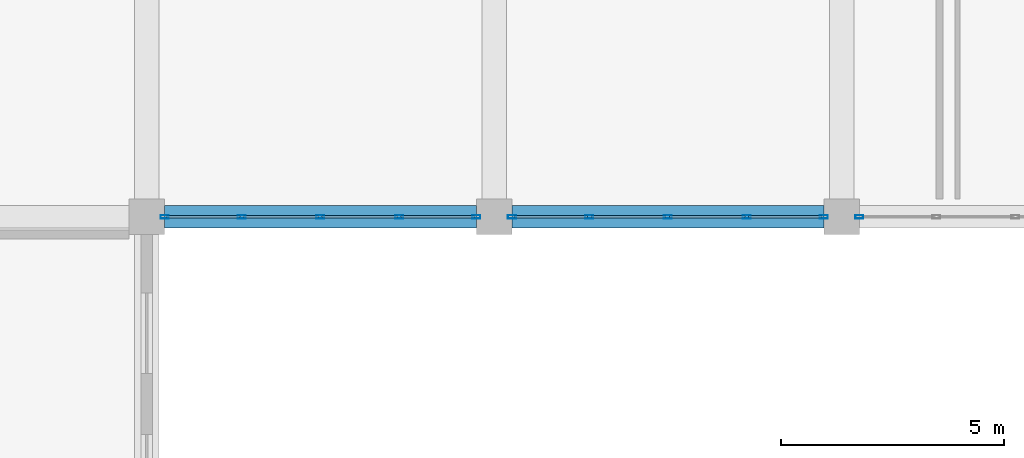
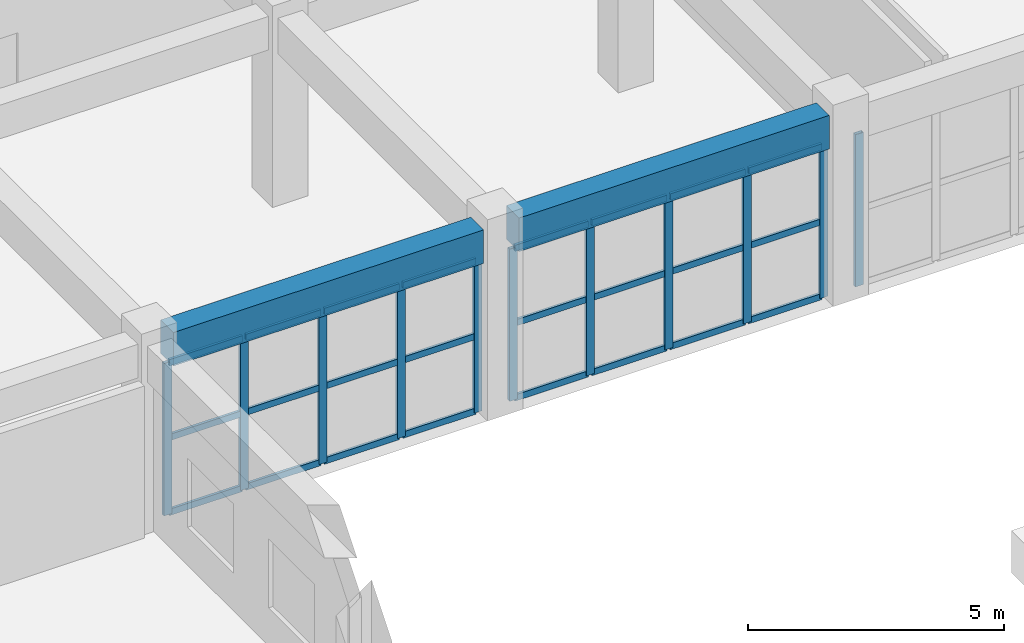
# One storey, part 41 of 139: 35 members, 2 beams, 3 elements without a shape of their own.
"""IFC4 building model written with IfcOpenShell, lengths in metres."""

from ifc_helpers import new_model, si_unit, direction, frame, origin, origin_2d, place, context, subcontext, project, spatial, rectangle, hollow_rectangle, extrude, material, layer, layer_set, material_profile, profile_set, type_object, element, aggregate, save


model = new_model("IFC4")

# Units and contexts
model_context = context("Model", 3, precision=1e-05, world=origin(), true_north=direction((0.0, 1.0)))
body_context = subcontext(model_context, "Body", "Model", "MODEL_VIEW")
ifc_project = project(units=[si_unit("LENGTHUNIT", "METRE"), si_unit("AREAUNIT", "SQUARE_METRE"), si_unit("VOLUMEUNIT", "CUBIC_METRE"), si_unit("PLANEANGLEUNIT", "RADIAN"), si_unit("MASSUNIT", "GRAM", prefix="KILO")], contexts=[model_context])

# Site, building, storey
site_placement = place(None, origin())
site = spatial("IfcSite", under=ifc_project, at=site_placement, CompositionType="ELEMENT")
building_placement = place(site_placement, origin())
building = spatial("IfcBuilding", under=site, at=building_placement, Name="Zizhar Promenade General Hospital", CompositionType="ELEMENT")
storey_placement = place(building_placement, origin())
storey = spatial("IfcBuildingStorey", under=building, at=storey_placement, Name="L00", CompositionType="ELEMENT", Elevation=0.0)

# Beams
ifc_material_1 = material(Name="Concrete C35/45", Category="concrete")
ifc_material_profile_1 = material_profile(ifc_material_1, rectangle(XDim=0.5, YDim=0.800048828125, at=origin_2d()))
ifc_profile_set_1 = profile_set([ifc_material_profile_1], Name="Concrete C35/45")
beam_type = type_object("IfcBeamType", Name="BM-RC-500x800", PredefinedType="BEAM", material=ifc_profile_set_1)
for number, where, z_axis, x_axis, name in (
    (1, (70.60009765625, 92.39990234375, 4.070068359375), (1.0, 0.0, 0.0), (0.0, 1.0, 0.0), "Grid Beam X L00 (9-11)"),
    (2, (78.39990234375, 92.39990234375, 4.070068359375), (1.0, 0.0, 0.0), (0.0, 1.0, 0.0), "Grid Beam X L00 (10-11)"),
):
    element("IfcBeam", number, at=place(storey_placement, frame(where, z_axis=z_axis, x_axis=x_axis)), inside=storey, type_object=beam_type, Name=name, PredefinedType="BEAM", context=body_context, shape_type="SweptSolid", body=[
        extrude(rectangle(XDim=0.5, YDim=0.800048828125, at=origin_2d()), origin(), (0.0, 0.0, 1.0), 7.0),
    ])

# Curtain wall, members
ifc_material_2 = material(Name="Anodised aluminium 6063-T6 and low-E glass", Category="aluminium")
ifc_layer = layer(ifc_material_2, 0.159912109375)
ifc_layer_set = layer_set([ifc_layer], Name="Anodised aluminium 6063-T6 and low-E glass")
curtain_wall_type = type_object("IfcCurtainWallType", Name="CW-DT-MOD1", PredefinedType="NOTDEFINED", material=ifc_layer_set)
curtain_wall_1_placement = place(storey_placement, origin())
curtain_wall_1 = element("IfcCurtainWall", 3, at=curtain_wall_1_placement, inside=storey, type_object=curtain_wall_type, Name="Garden Court North Surgical Glazing L00-9", PredefinedType="NOTDEFINED")
ifc_material_3 = material(Name="Anodised aluminium 6063-T6", Category="aluminium")
ifc_material_profile_2 = material_profile(ifc_material_3, hollow_rectangle(XDim=0.080078125, YDim=0.179931640625, WallThickness=0.0048828125, at=origin_2d()))
ifc_profile_set_2 = profile_set([ifc_material_profile_2], Name="Anodised aluminium 6063-T6")
member_type_1 = type_object("IfcMemberType", Name="CWM-ALU-180x80", PredefinedType="MULLION", material=ifc_profile_set_2)
member_1_placement = place(storey_placement, frame((77.60009765625, 92.39990234375, 0.0), z_axis=(0.0, 0.0, 1.0), x_axis=(0.0, -1.0, 0.0)))
member_1 = element("IfcMember", 4, at=member_1_placement, type_object=member_type_1, Name="CW-07 mullion 1", PredefinedType="MULLION", context=body_context, shape_type="SweptSolid", body=[
    extrude(hollow_rectangle(XDim=0.080078125, YDim=0.179931640625, WallThickness=0.0048828125, at=origin_2d()), origin(), (0.0, 0.0, 1.0), 3.6298828125),
])
member_2_placement = place(storey_placement, frame((75.8701171875, 92.39990234375, 0.0), z_axis=(0.0, 0.0, 1.0), x_axis=(0.0, -1.0, 0.0)))
member_2 = element("IfcMember", 5, at=member_2_placement, type_object=member_type_1, Name="CW-07 mullion 2", PredefinedType="MULLION", context=body_context, shape_type="SweptSolid", body=[
    extrude(hollow_rectangle(XDim=0.080078125, YDim=0.179931640625, WallThickness=0.0048828125, at=origin_2d()), origin(), (0.0, 0.0, 1.0), 3.6298828125),
])
member_3_placement = place(storey_placement, frame((74.10009765625, 92.39990234375, 0.0), z_axis=(0.0, 0.0, 1.0), x_axis=(0.0, -1.0, 0.0)))
member_3 = element("IfcMember", 6, at=member_3_placement, type_object=member_type_1, Name="CW-07 mullion 3", PredefinedType="MULLION", context=body_context, shape_type="SweptSolid", body=[
    extrude(hollow_rectangle(XDim=0.080078125, YDim=0.179931640625, WallThickness=0.0048828125, at=origin_2d()), origin(), (0.0, 0.0, 1.0), 3.6298828125),
])
member_4_placement = place(storey_placement, frame((72.330078125, 92.39990234375, 0.0), z_axis=(0.0, 0.0, 1.0), x_axis=(0.0, -1.0, 0.0)))
member_4 = element("IfcMember", 7, at=member_4_placement, type_object=member_type_1, Name="CW-07 mullion 4", PredefinedType="MULLION", context=body_context, shape_type="SweptSolid", body=[
    extrude(hollow_rectangle(XDim=0.080078125, YDim=0.179931640625, WallThickness=0.0048828125, at=origin_2d()), origin(), (0.0, 0.0, 1.0), 3.6298828125),
])
member_5_placement = place(storey_placement, frame((70.60009765625, 92.39990234375, 0.0), z_axis=(0.0, 0.0, 1.0), x_axis=(0.0, -1.0, 0.0)))
member_5 = element("IfcMember", 8, at=member_5_placement, type_object=member_type_1, Name="CW-07 mullion 5", PredefinedType="MULLION", context=body_context, shape_type="SweptSolid", body=[
    extrude(hollow_rectangle(XDim=0.080078125, YDim=0.179931640625, WallThickness=0.0048828125, at=origin_2d()), origin(), (0.0, 0.0, 1.0), 3.6298828125),
])

curtain_wall_2_placement = place(storey_placement, origin())
curtain_wall_2 = element("IfcCurtainWall", 9, at=curtain_wall_2_placement, inside=storey, type_object=curtain_wall_type, Name="Garden Court North Surgical Glazing L00-10", PredefinedType="NOTDEFINED")
member_6_placement = place(storey_placement, frame((85.39990234375, 92.39990234375, 0.0), z_axis=(0.0, 0.0, 1.0), x_axis=(0.0, -1.0, 0.0)))
member_6 = element("IfcMember", 10, at=member_6_placement, type_object=member_type_1, Name="CW-07 mullion 1", PredefinedType="MULLION", context=body_context, shape_type="SweptSolid", body=[
    extrude(hollow_rectangle(XDim=0.080078125, YDim=0.179931640625, WallThickness=0.0048828125, at=origin_2d()), origin(), (0.0, 0.0, 1.0), 3.6298828125),
])
member_7_placement = place(storey_placement, frame((83.669921875, 92.39990234375, 0.0), z_axis=(0.0, 0.0, 1.0), x_axis=(0.0, -1.0, 0.0)))
member_7 = element("IfcMember", 11, at=member_7_placement, type_object=member_type_1, Name="CW-07 mullion 2", PredefinedType="MULLION", context=body_context, shape_type="SweptSolid", body=[
    extrude(hollow_rectangle(XDim=0.080078125, YDim=0.179931640625, WallThickness=0.0048828125, at=origin_2d()), origin(), (0.0, 0.0, 1.0), 3.6298828125),
])
member_8_placement = place(storey_placement, frame((81.89990234375, 92.39990234375, 0.0), z_axis=(0.0, 0.0, 1.0), x_axis=(0.0, -1.0, 0.0)))
member_8 = element("IfcMember", 12, at=member_8_placement, type_object=member_type_1, Name="CW-07 mullion 3", PredefinedType="MULLION", context=body_context, shape_type="SweptSolid", body=[
    extrude(hollow_rectangle(XDim=0.080078125, YDim=0.179931640625, WallThickness=0.0048828125, at=origin_2d()), origin(), (0.0, 0.0, 1.0), 3.6298828125),
])
member_9_placement = place(storey_placement, frame((80.1298828125, 92.39990234375, 0.0), z_axis=(0.0, 0.0, 1.0), x_axis=(0.0, -1.0, 0.0)))
member_9 = element("IfcMember", 13, at=member_9_placement, type_object=member_type_1, Name="CW-07 mullion 4", PredefinedType="MULLION", context=body_context, shape_type="SweptSolid", body=[
    extrude(hollow_rectangle(XDim=0.080078125, YDim=0.179931640625, WallThickness=0.0048828125, at=origin_2d()), origin(), (0.0, 0.0, 1.0), 3.6298828125),
])
member_10_placement = place(storey_placement, frame((78.39990234375, 92.39990234375, 0.0), z_axis=(0.0, 0.0, 1.0), x_axis=(0.0, -1.0, 0.0)))
member_10 = element("IfcMember", 14, at=member_10_placement, type_object=member_type_1, Name="CW-07 mullion 5", PredefinedType="MULLION", context=body_context, shape_type="SweptSolid", body=[
    extrude(hollow_rectangle(XDim=0.080078125, YDim=0.179931640625, WallThickness=0.0048828125, at=origin_2d()), origin(), (0.0, 0.0, 1.0), 3.6298828125),
])

# Curtain wall, member
curtain_wall_3_placement = place(storey_placement, origin())
curtain_wall_3 = element("IfcCurtainWall", 15, at=curtain_wall_3_placement, inside=storey, type_object=curtain_wall_type, Name="Garden Court North Surgical Glazing L00-11", PredefinedType="NOTDEFINED")
member_11_placement = place(storey_placement, frame((86.199951171875, 92.39990234375, 0.0), z_axis=(0.0, 0.0, 1.0), x_axis=(0.0, -1.0, 0.0)))
member_11 = element("IfcMember", 16, at=member_11_placement, type_object=member_type_1, Name="CW-07 mullion 5", PredefinedType="MULLION", context=body_context, shape_type="SweptSolid", body=[
    extrude(hollow_rectangle(XDim=0.080078125, YDim=0.179931640625, WallThickness=0.0048828125, at=origin_2d()), origin(), (0.0, 0.0, 1.0), 3.6298828125),
])
aggregate(curtain_wall_3, [member_11])

# Member
ifc_material_4 = material(Name="Anodised aluminium 6063-T6", Category="aluminium")
ifc_material_profile_3 = material_profile(ifc_material_4, hollow_rectangle(XDim=0.06005859375, YDim=0.14990234375, WallThickness=0.00390625, at=origin_2d()))
ifc_profile_set_3 = profile_set([ifc_material_profile_3], Name="Anodised aluminium 6063-T6")
member_type_2 = type_object("IfcMemberType", Name="CWT-ALU-150x60", PredefinedType="USERDEFINED", material=ifc_profile_set_3)
member_12_placement = place(storey_placement, frame((77.56005859375, 92.39990234375, 0.030029296875), z_axis=(-1.0, 0.0, 0.0), x_axis=(0.0, -1.0, 0.0)))
member_12 = element("IfcMember", 17, at=member_12_placement, type_object=member_type_2, Name="CW-07 transom 1.1", ObjectType="TRANSOM", PredefinedType="USERDEFINED", context=body_context, shape_type="SweptSolid", body=[
    extrude(hollow_rectangle(XDim=0.06005859375, YDim=0.14990234375, WallThickness=0.00390625, at=origin_2d()), origin(), (0.0, 0.0, 1.0), 1.650146484375),
])

member_13_placement = place(storey_placement, frame((77.56005859375, 92.39990234375, 1.81494140625), z_axis=(-1.0, 0.0, 0.0), x_axis=(0.0, -1.0, 0.0)))
member_13 = element("IfcMember", 18, at=member_13_placement, type_object=member_type_2, Name="CW-07 transom 1.2", ObjectType="TRANSOM", PredefinedType="USERDEFINED", context=body_context, shape_type="SweptSolid", body=[
    extrude(hollow_rectangle(XDim=0.06005859375, YDim=0.14990234375, WallThickness=0.00390625, at=origin_2d()), origin(), (0.0, 0.0, 1.0), 1.650146484375),
])

member_14_placement = place(storey_placement, frame((77.56005859375, 92.39990234375, 3.60009765625), z_axis=(-1.0, 0.0, 0.0), x_axis=(0.0, -1.0, 0.0)))
member_14 = element("IfcMember", 19, at=member_14_placement, type_object=member_type_2, Name="CW-07 transom 1.3", ObjectType="TRANSOM", PredefinedType="USERDEFINED", context=body_context, shape_type="SweptSolid", body=[
    extrude(hollow_rectangle(XDim=0.06005859375, YDim=0.14990234375, WallThickness=0.00390625, at=origin_2d()), origin(), (0.0, 0.0, 1.0), 1.650146484375),
])

member_15_placement = place(storey_placement, frame((75.830078125, 92.39990234375, 0.030029296875), z_axis=(-1.0, 0.0, 0.0), x_axis=(0.0, -1.0, 0.0)))
member_15 = element("IfcMember", 20, at=member_15_placement, type_object=member_type_2, Name="CW-07 transom 2.1", ObjectType="TRANSOM", PredefinedType="USERDEFINED", context=body_context, shape_type="SweptSolid", body=[
    extrude(hollow_rectangle(XDim=0.06005859375, YDim=0.14990234375, WallThickness=0.00390625, at=origin_2d()), origin(), (0.0, 0.0, 1.0), 1.690185546875),
])

member_16_placement = place(storey_placement, frame((75.830078125, 92.39990234375, 1.81494140625), z_axis=(-1.0, 0.0, 0.0), x_axis=(0.0, -1.0, 0.0)))
member_16 = element("IfcMember", 21, at=member_16_placement, type_object=member_type_2, Name="CW-07 transom 2.2", ObjectType="TRANSOM", PredefinedType="USERDEFINED", context=body_context, shape_type="SweptSolid", body=[
    extrude(hollow_rectangle(XDim=0.06005859375, YDim=0.14990234375, WallThickness=0.00390625, at=origin_2d()), origin(), (0.0, 0.0, 1.0), 1.690185546875),
])

member_17_placement = place(storey_placement, frame((75.830078125, 92.39990234375, 3.60009765625), z_axis=(-1.0, 0.0, 0.0), x_axis=(0.0, -1.0, 0.0)))
member_17 = element("IfcMember", 22, at=member_17_placement, type_object=member_type_2, Name="CW-07 transom 2.3", ObjectType="TRANSOM", PredefinedType="USERDEFINED", context=body_context, shape_type="SweptSolid", body=[
    extrude(hollow_rectangle(XDim=0.06005859375, YDim=0.14990234375, WallThickness=0.00390625, at=origin_2d()), origin(), (0.0, 0.0, 1.0), 1.690185546875),
])

member_18_placement = place(storey_placement, frame((74.06005859375, 92.39990234375, 0.030029296875), z_axis=(-1.0, 0.0, 0.0), x_axis=(0.0, -1.0, 0.0)))
member_18 = element("IfcMember", 23, at=member_18_placement, type_object=member_type_2, Name="CW-07 transom 3.1", ObjectType="TRANSOM", PredefinedType="USERDEFINED", context=body_context, shape_type="SweptSolid", body=[
    extrude(hollow_rectangle(XDim=0.06005859375, YDim=0.14990234375, WallThickness=0.00390625, at=origin_2d()), origin(), (0.0, 0.0, 1.0), 1.68994140625),
])

member_19_placement = place(storey_placement, frame((74.06005859375, 92.39990234375, 1.81494140625), z_axis=(-1.0, 0.0, 0.0), x_axis=(0.0, -1.0, 0.0)))
member_19 = element("IfcMember", 24, at=member_19_placement, type_object=member_type_2, Name="CW-07 transom 3.2", ObjectType="TRANSOM", PredefinedType="USERDEFINED", context=body_context, shape_type="SweptSolid", body=[
    extrude(hollow_rectangle(XDim=0.06005859375, YDim=0.14990234375, WallThickness=0.00390625, at=origin_2d()), origin(), (0.0, 0.0, 1.0), 1.68994140625),
])

member_20_placement = place(storey_placement, frame((74.06005859375, 92.39990234375, 3.60009765625), z_axis=(-1.0, 0.0, 0.0), x_axis=(0.0, -1.0, 0.0)))
member_20 = element("IfcMember", 25, at=member_20_placement, type_object=member_type_2, Name="CW-07 transom 3.3", ObjectType="TRANSOM", PredefinedType="USERDEFINED", context=body_context, shape_type="SweptSolid", body=[
    extrude(hollow_rectangle(XDim=0.06005859375, YDim=0.14990234375, WallThickness=0.00390625, at=origin_2d()), origin(), (0.0, 0.0, 1.0), 1.68994140625),
])

member_21_placement = place(storey_placement, frame((72.2900390625, 92.39990234375, 0.030029296875), z_axis=(-1.0, 0.0, 0.0), x_axis=(0.0, -1.0, 0.0)))
member_21 = element("IfcMember", 26, at=member_21_placement, type_object=member_type_2, Name="CW-07 transom 4.1", ObjectType="TRANSOM", PredefinedType="USERDEFINED", context=body_context, shape_type="SweptSolid", body=[
    extrude(hollow_rectangle(XDim=0.06005859375, YDim=0.14990234375, WallThickness=0.00390625, at=origin_2d()), origin(), (0.0, 0.0, 1.0), 1.650146484375),
])

member_22_placement = place(storey_placement, frame((72.2900390625, 92.39990234375, 1.81494140625), z_axis=(-1.0, 0.0, 0.0), x_axis=(0.0, -1.0, 0.0)))
member_22 = element("IfcMember", 27, at=member_22_placement, type_object=member_type_2, Name="CW-07 transom 4.2", ObjectType="TRANSOM", PredefinedType="USERDEFINED", context=body_context, shape_type="SweptSolid", body=[
    extrude(hollow_rectangle(XDim=0.06005859375, YDim=0.14990234375, WallThickness=0.00390625, at=origin_2d()), origin(), (0.0, 0.0, 1.0), 1.650146484375),
])

member_23_placement = place(storey_placement, frame((72.2900390625, 92.39990234375, 3.60009765625), z_axis=(-1.0, 0.0, 0.0), x_axis=(0.0, -1.0, 0.0)))
member_23 = element("IfcMember", 28, at=member_23_placement, type_object=member_type_2, Name="CW-07 transom 4.3", ObjectType="TRANSOM", PredefinedType="USERDEFINED", context=body_context, shape_type="SweptSolid", body=[
    extrude(hollow_rectangle(XDim=0.06005859375, YDim=0.14990234375, WallThickness=0.00390625, at=origin_2d()), origin(), (0.0, 0.0, 1.0), 1.650146484375),
])

aggregate(curtain_wall_1, [member_1, member_2, member_3, member_4, member_5, member_12, member_13, member_14, member_15, member_16, member_17, member_18, member_19, member_20, member_21, member_22, member_23])

member_24_placement = place(storey_placement, frame((85.360107421875, 92.39990234375, 0.030029296875), z_axis=(-1.0, 0.0, 0.0), x_axis=(0.0, -1.0, 0.0)))
member_24 = element("IfcMember", 29, at=member_24_placement, type_object=member_type_2, Name="CW-07 transom 1.1", ObjectType="TRANSOM", PredefinedType="USERDEFINED", context=body_context, shape_type="SweptSolid", body=[
    extrude(hollow_rectangle(XDim=0.06005859375, YDim=0.14990234375, WallThickness=0.00390625, at=origin_2d()), origin(), (0.0, 0.0, 1.0), 1.650146484375),
])

member_25_placement = place(storey_placement, frame((85.360107421875, 92.39990234375, 1.81494140625), z_axis=(-1.0, 0.0, 0.0), x_axis=(0.0, -1.0, 0.0)))
member_25 = element("IfcMember", 30, at=member_25_placement, type_object=member_type_2, Name="CW-07 transom 1.2", ObjectType="TRANSOM", PredefinedType="USERDEFINED", context=body_context, shape_type="SweptSolid", body=[
    extrude(hollow_rectangle(XDim=0.06005859375, YDim=0.14990234375, WallThickness=0.00390625, at=origin_2d()), origin(), (0.0, 0.0, 1.0), 1.650146484375),
])

member_26_placement = place(storey_placement, frame((85.360107421875, 92.39990234375, 3.60009765625), z_axis=(-1.0, 0.0, 0.0), x_axis=(0.0, -1.0, 0.0)))
member_26 = element("IfcMember", 31, at=member_26_placement, type_object=member_type_2, Name="CW-07 transom 1.3", ObjectType="TRANSOM", PredefinedType="USERDEFINED", context=body_context, shape_type="SweptSolid", body=[
    extrude(hollow_rectangle(XDim=0.06005859375, YDim=0.14990234375, WallThickness=0.00390625, at=origin_2d()), origin(), (0.0, 0.0, 1.0), 1.650146484375),
])

member_27_placement = place(storey_placement, frame((83.6298828125, 92.39990234375, 0.030029296875), z_axis=(-1.0, 0.0, 0.0), x_axis=(0.0, -1.0, 0.0)))
member_27 = element("IfcMember", 32, at=member_27_placement, type_object=member_type_2, Name="CW-07 transom 2.1", ObjectType="TRANSOM", PredefinedType="USERDEFINED", context=body_context, shape_type="SweptSolid", body=[
    extrude(hollow_rectangle(XDim=0.06005859375, YDim=0.14990234375, WallThickness=0.00390625, at=origin_2d()), origin(), (0.0, 0.0, 1.0), 1.68994140625),
])

member_28_placement = place(storey_placement, frame((83.6298828125, 92.39990234375, 1.81494140625), z_axis=(-1.0, 0.0, 0.0), x_axis=(0.0, -1.0, 0.0)))
member_28 = element("IfcMember", 33, at=member_28_placement, type_object=member_type_2, Name="CW-07 transom 2.2", ObjectType="TRANSOM", PredefinedType="USERDEFINED", context=body_context, shape_type="SweptSolid", body=[
    extrude(hollow_rectangle(XDim=0.06005859375, YDim=0.14990234375, WallThickness=0.00390625, at=origin_2d()), origin(), (0.0, 0.0, 1.0), 1.68994140625),
])

member_29_placement = place(storey_placement, frame((83.6298828125, 92.39990234375, 3.60009765625), z_axis=(-1.0, 0.0, 0.0), x_axis=(0.0, -1.0, 0.0)))
member_29 = element("IfcMember", 34, at=member_29_placement, type_object=member_type_2, Name="CW-07 transom 2.3", ObjectType="TRANSOM", PredefinedType="USERDEFINED", context=body_context, shape_type="SweptSolid", body=[
    extrude(hollow_rectangle(XDim=0.06005859375, YDim=0.14990234375, WallThickness=0.00390625, at=origin_2d()), origin(), (0.0, 0.0, 1.0), 1.68994140625),
])

member_30_placement = place(storey_placement, frame((81.860107421875, 92.39990234375, 0.030029296875), z_axis=(-1.0, 0.0, 0.0), x_axis=(0.0, -1.0, 0.0)))
member_30 = element("IfcMember", 35, at=member_30_placement, type_object=member_type_2, Name="CW-07 transom 3.1", ObjectType="TRANSOM", PredefinedType="USERDEFINED", context=body_context, shape_type="SweptSolid", body=[
    extrude(hollow_rectangle(XDim=0.06005859375, YDim=0.14990234375, WallThickness=0.00390625, at=origin_2d()), origin(), (0.0, 0.0, 1.0), 1.690185546875),
])

member_31_placement = place(storey_placement, frame((81.860107421875, 92.39990234375, 1.81494140625), z_axis=(-1.0, 0.0, 0.0), x_axis=(0.0, -1.0, 0.0)))
member_31 = element("IfcMember", 36, at=member_31_placement, type_object=member_type_2, Name="CW-07 transom 3.2", ObjectType="TRANSOM", PredefinedType="USERDEFINED", context=body_context, shape_type="SweptSolid", body=[
    extrude(hollow_rectangle(XDim=0.06005859375, YDim=0.14990234375, WallThickness=0.00390625, at=origin_2d()), origin(), (0.0, 0.0, 1.0), 1.690185546875),
])

member_32_placement = place(storey_placement, frame((81.860107421875, 92.39990234375, 3.60009765625), z_axis=(-1.0, 0.0, 0.0), x_axis=(0.0, -1.0, 0.0)))
member_32 = element("IfcMember", 37, at=member_32_placement, type_object=member_type_2, Name="CW-07 transom 3.3", ObjectType="TRANSOM", PredefinedType="USERDEFINED", context=body_context, shape_type="SweptSolid", body=[
    extrude(hollow_rectangle(XDim=0.06005859375, YDim=0.14990234375, WallThickness=0.00390625, at=origin_2d()), origin(), (0.0, 0.0, 1.0), 1.690185546875),
])

member_33_placement = place(storey_placement, frame((80.090087890625, 92.39990234375, 0.030029296875), z_axis=(-1.0, 0.0, 0.0), x_axis=(0.0, -1.0, 0.0)))
member_33 = element("IfcMember", 38, at=member_33_placement, type_object=member_type_2, Name="CW-07 transom 4.1", ObjectType="TRANSOM", PredefinedType="USERDEFINED", context=body_context, shape_type="SweptSolid", body=[
    extrude(hollow_rectangle(XDim=0.06005859375, YDim=0.14990234375, WallThickness=0.00390625, at=origin_2d()), origin(), (0.0, 0.0, 1.0), 1.650146484375),
])

member_34_placement = place(storey_placement, frame((80.090087890625, 92.39990234375, 1.81494140625), z_axis=(-1.0, 0.0, 0.0), x_axis=(0.0, -1.0, 0.0)))
member_34 = element("IfcMember", 39, at=member_34_placement, type_object=member_type_2, Name="CW-07 transom 4.2", ObjectType="TRANSOM", PredefinedType="USERDEFINED", context=body_context, shape_type="SweptSolid", body=[
    extrude(hollow_rectangle(XDim=0.06005859375, YDim=0.14990234375, WallThickness=0.00390625, at=origin_2d()), origin(), (0.0, 0.0, 1.0), 1.650146484375),
])

member_35_placement = place(storey_placement, frame((80.090087890625, 92.39990234375, 3.60009765625), z_axis=(-1.0, 0.0, 0.0), x_axis=(0.0, -1.0, 0.0)))
member_35 = element("IfcMember", 40, at=member_35_placement, type_object=member_type_2, Name="CW-07 transom 4.3", ObjectType="TRANSOM", PredefinedType="USERDEFINED", context=body_context, shape_type="SweptSolid", body=[
    extrude(hollow_rectangle(XDim=0.06005859375, YDim=0.14990234375, WallThickness=0.00390625, at=origin_2d()), origin(), (0.0, 0.0, 1.0), 1.650146484375),
])

aggregate(curtain_wall_2, [member_6, member_7, member_8, member_9, member_10, member_24, member_25, member_26, member_27, member_28, member_29, member_30, member_31, member_32, member_33, member_34, member_35])

save(model, "model.ifc")
